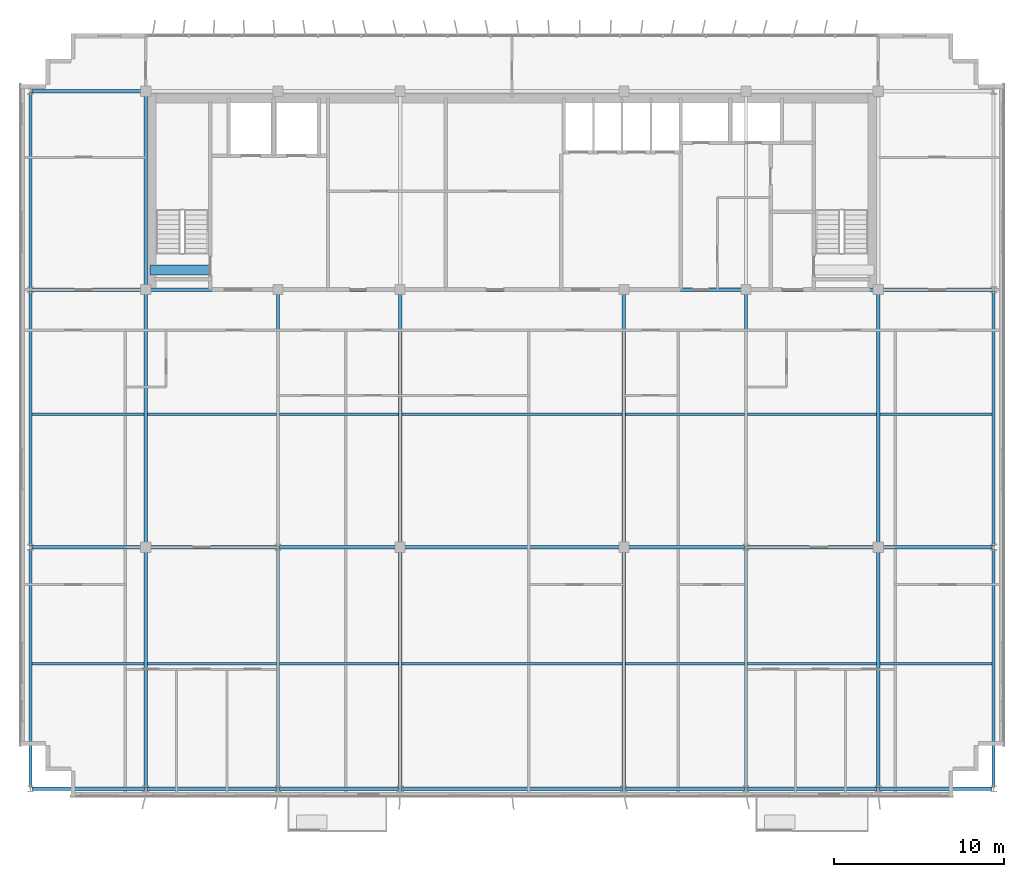
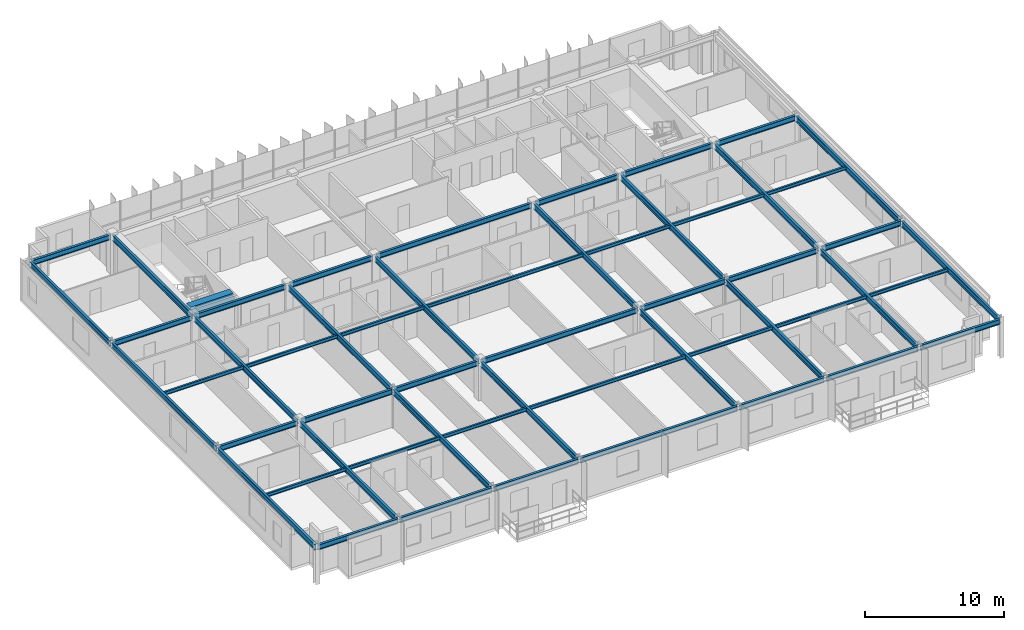
# One storey, part 5 of 22: 55 beams.
"""IFC4 building model written with IfcOpenShell, lengths in metres."""

from ifc_helpers import new_model, si_unit, direction, frame, origin, origin_2d, place, context, subcontext, project, spatial, rectangle, i_section, extrude, source, transform, mapped, material, material_profile, profile_set, type_object, element, save


model = new_model("IFC4")

# Units and contexts
model_context = context("Model", 3, precision=1e-05, world=origin(), true_north=direction((0.0, 1.0)))
body_context = subcontext(model_context, "Body", "Model", "MODEL_VIEW")
ifc_project = project(units=[si_unit("LENGTHUNIT", "METRE"), si_unit("AREAUNIT", "SQUARE_METRE"), si_unit("VOLUMEUNIT", "CUBIC_METRE"), si_unit("PLANEANGLEUNIT", "RADIAN"), si_unit("MASSUNIT", "GRAM", prefix="KILO")], contexts=[model_context])

# Site, building, storey
site_placement = place(None, origin())
site = spatial("IfcSite", under=ifc_project, at=site_placement, CompositionType="ELEMENT")
building_placement = place(site_placement, origin())
building = spatial("IfcBuilding", under=site, at=building_placement, Name="Trelvane Seafront Commons", CompositionType="ELEMENT")
storey_placement = place(building_placement, frame((0.0, 0.0, 281.10009765625)))
storey = spatial("IfcBuildingStorey", under=building, at=storey_placement, Name="L73", CompositionType="ELEMENT", Elevation=281.10009765625)

# Beams
ifc_material_1 = material(Name="Concrete C60/75", Category="concrete")
ifc_material_profile_1 = material_profile(ifc_material_1, rectangle(XDim=0.60009765625, YDim=0.89990234375, at=origin_2d()), Name="RC-600x900")
ifc_profile_set_1 = profile_set([ifc_material_profile_1], Name="Concrete C60/75")
beam_type_1 = type_object("IfcBeamType", Name="STR-LNT-RC600x900", PredefinedType="LINTEL", material=ifc_profile_set_1)
shared_shape_1 = source(origin(), body_context, "Body", "SweptSolid", [
    extrude(rectangle(XDim=0.60009765625, YDim=0.89990234375, at=origin_2d()), origin(), (0.0, 0.0, 1.0), 3.5498046875),
])
beam_1_placement = place(storey_placement, frame((15.85009765625, 34.550048828125, 2.919921875), z_axis=(1.0, 0.0, 0.0), x_axis=(0.0, 1.0, 0.0)))
element("IfcBeam", 1, at=beam_1_placement, inside=storey, type_object=beam_type_1, Name="L73 Core Coupling Lintel Beam CB-67", PredefinedType="LINTEL", context=body_context, shape_type="MappedRepresentation", body=[
    mapped(shared_shape_1, transform((0.0, 0.0, 0.0), x_axis=(1.0, 0.0, 0.0), y_axis=(0.0, 1.0, 0.0), z_axis=(0.0, 0.0, 1.0), scale=1.0)),
])
ifc_material_2 = material(Name="Steel SM355 (S355)", Category="steel")
ifc_material_profile_2 = material_profile(ifc_material_2, i_section(OverallWidth=0.199951171875, OverallDepth=0.5, WebThickness=0.010009765625, FlangeThickness=0.01611328125, at=origin_2d()), Name="H-500x200x10x16")
ifc_profile_set_2 = profile_set([ifc_material_profile_2], Name="Steel SM355 (S355)")
beam_type_2 = type_object("IfcBeamType", Name="STR-BM-H500", PredefinedType="BEAM", material=ifc_profile_set_2)
shared_shape_2 = source(origin(), body_context, "Body", "SweptSolid", [
    extrude(i_section(OverallWidth=0.199951171875, OverallDepth=0.5, WebThickness=0.010009765625, FlangeThickness=0.01611328125, at=origin_2d()), origin(), (0.0, 0.0, 1.0), 14.89990234375),
])
for number, where, z_axis, x_axis, name in (
    (2, (15.60009765625, 18.35009765625, 3.119873046875), (0.0, 1.0, 0.0), (-1.0, 0.0, 0.0), "L73 Primary Girder G-33"),
    (3, (30.60009765625, 18.35009765625, 3.119873046875), (0.0, 1.0, 0.0), (-1.0, 0.0, 0.0), "L73 Primary Girder G-39"),
    (4, (43.800048828125, 18.35009765625, 3.119873046875), (0.0, 1.0, 0.0), (-1.0, 0.0, 0.0), "L73 Primary Girder G-42"),
    (5, (58.800048828125, 18.35009765625, 3.119873046875), (0.0, 1.0, 0.0), (-1.0, 0.0, 0.0), "L73 Primary Girder G-48"),
):
    element("IfcBeam", number, at=place(storey_placement, frame(where, z_axis=z_axis, x_axis=x_axis)), inside=storey, type_object=beam_type_2, Name=name, PredefinedType="BEAM", context=body_context, shape_type="MappedRepresentation", body=[
        mapped(shared_shape_2, transform((0.0, 0.0, 0.0), x_axis=(1.0, 0.0, 0.0), y_axis=(0.0, 1.0, 0.0), z_axis=(0.0, 0.0, 1.0), scale=1.0)),
    ])
shared_shape_3 = source(origin(), body_context, "Body", "SweptSolid", [
    extrude(i_section(OverallWidth=0.199951171875, OverallDepth=0.5, WebThickness=0.010009765625, FlangeThickness=0.01611328125, at=origin_2d()), origin(), (0.0, 0.0, 1.0), 11.39990234375),
])
beam_2_placement = place(storey_placement, frame((15.60009765625, 33.550048828125, 3.119873046875), z_axis=(0.0, 1.0, 0.0), x_axis=(-1.0, 0.0, 0.0)))
element("IfcBeam", 6, at=beam_2_placement, inside=storey, type_object=beam_type_2, Name="L73 Primary Girder G-34", PredefinedType="BEAM", context=body_context, shape_type="MappedRepresentation", body=[
    mapped(shared_shape_3, transform((0.0, 0.0, 0.0), x_axis=(1.0, 0.0, 0.0), y_axis=(0.0, 1.0, 0.0), z_axis=(0.0, 0.0, 1.0), scale=1.0)),
])
ifc_material_profile_3 = material_profile(ifc_material_2, i_section(OverallWidth=0.199951171875, OverallDepth=0.449951171875, WebThickness=0.009033203125, FlangeThickness=0.013916015625, at=origin_2d()), Name="H-450x200x9x14")
ifc_profile_set_3 = profile_set([ifc_material_profile_3], Name="Steel SM355 (S355)")
beam_type_3 = type_object("IfcBeamType", Name="STR-SPD-H450", PredefinedType="SPANDREL", material=ifc_profile_set_3)
shared_shape_4 = source(origin(), body_context, "Body", "SweptSolid", [
    extrude(i_section(OverallWidth=0.199951171875, OverallDepth=0.449951171875, WebThickness=0.009033203125, FlangeThickness=0.013916015625, at=origin_2d()), origin(), (0.0, 0.0, 1.0), 6.625),
])
for number, where, z_axis, x_axis, name in (
    (7, (8.887451171875, 3.949951171875, 3.14501953125), (1.0, 0.0, 0.0), (0.0, 1.0, 0.0), "L73 Primary Girder G-01"),
    (8, (58.887451171875, 3.949951171875, 3.14501953125), (1.0, 0.0, 0.0), (0.0, 1.0, 0.0), "L73 Primary Girder G-07"),
):
    element("IfcBeam", number, at=place(storey_placement, frame(where, z_axis=z_axis, x_axis=x_axis)), inside=storey, type_object=beam_type_3, Name=name, PredefinedType="SPANDREL", context=body_context, shape_type="MappedRepresentation", body=[
        mapped(shared_shape_4, transform((0.0, 0.0, 0.0), x_axis=(1.0, 0.0, 0.0), y_axis=(0.0, 1.0, 0.0), z_axis=(0.0, 0.0, 1.0), scale=1.0)),
    ])
shared_shape_5 = source(origin(), body_context, "Body", "SweptSolid", [
    extrude(i_section(OverallWidth=0.199951171875, OverallDepth=0.449951171875, WebThickness=0.009033203125, FlangeThickness=0.013916015625, at=origin_2d()), origin(), (0.0, 0.0, 1.0), 7.625),
])
for number, where, z_axis, x_axis, name in (
    (9, (15.6875, 3.949951171875, 3.14501953125), (1.0, 0.0, 0.0), (0.0, 1.0, 0.0), "L73 Primary Girder G-02"),
    (10, (51.08740234375, 3.949951171875, 3.14501953125), (1.0, 0.0, 0.0), (0.0, 1.0, 0.0), "L73 Primary Girder G-06"),
):
    element("IfcBeam", number, at=place(storey_placement, frame(where, z_axis=z_axis, x_axis=x_axis)), inside=storey, type_object=beam_type_3, Name=name, PredefinedType="SPANDREL", context=body_context, shape_type="MappedRepresentation", body=[
        mapped(shared_shape_5, transform((0.0, 0.0, 0.0), x_axis=(1.0, 0.0, 0.0), y_axis=(0.0, 1.0, 0.0), z_axis=(0.0, 0.0, 1.0), scale=1.0)),
    ])
shared_shape_6 = source(origin(), body_context, "Body", "SweptSolid", [
    extrude(i_section(OverallWidth=0.199951171875, OverallDepth=0.449951171875, WebThickness=0.009033203125, FlangeThickness=0.013916015625, at=origin_2d()), origin(), (0.0, 0.0, 1.0), 7.02490234375),
])
beam_3_placement = place(storey_placement, frame((23.487548828125, 3.949951171875, 3.14501953125), z_axis=(1.0, 0.0, 0.0), x_axis=(0.0, 1.0, 0.0)))
element("IfcBeam", 11, at=beam_3_placement, inside=storey, type_object=beam_type_3, Name="L73 Primary Girder G-03", PredefinedType="SPANDREL", context=body_context, shape_type="MappedRepresentation", body=[
    mapped(shared_shape_6, transform((0.0, 0.0, 0.0), x_axis=(1.0, 0.0, 0.0), y_axis=(0.0, 1.0, 0.0), z_axis=(0.0, 0.0, 1.0), scale=1.0)),
])
shared_shape_7 = source(origin(), body_context, "Body", "SweptSolid", [
    extrude(i_section(OverallWidth=0.199951171875, OverallDepth=0.449951171875, WebThickness=0.009033203125, FlangeThickness=0.013916015625, at=origin_2d()), origin(), (0.0, 0.0, 1.0), 7.025146484375),
])
beam_4_placement = place(storey_placement, frame((43.887451171875, 3.949951171875, 3.14501953125), z_axis=(1.0, 0.0, 0.0), x_axis=(0.0, 1.0, 0.0)))
element("IfcBeam", 12, at=beam_4_placement, inside=storey, type_object=beam_type_3, Name="L73 Primary Girder G-05", PredefinedType="SPANDREL", context=body_context, shape_type="MappedRepresentation", body=[
    mapped(shared_shape_7, transform((0.0, 0.0, 0.0), x_axis=(1.0, 0.0, 0.0), y_axis=(0.0, 1.0, 0.0), z_axis=(0.0, 0.0, 1.0), scale=1.0)),
])
shared_shape_8 = source(origin(), body_context, "Body", "SweptSolid", [
    extrude(i_section(OverallWidth=0.199951171875, OverallDepth=0.449951171875, WebThickness=0.009033203125, FlangeThickness=0.013916015625, at=origin_2d()), origin(), (0.0, 0.0, 1.0), 6.5625),
])
for number, where, z_axis, x_axis, name in (
    (13, (8.887451171875, 18.199951171875, 3.14501953125), (1.0, 0.0, 0.0), (0.0, 1.0, 0.0), "L73 Primary Girder G-08"),
    (14, (58.949951171875, 18.199951171875, 3.14501953125), (1.0, 0.0, 0.0), (0.0, 1.0, 0.0), "L73 Primary Girder G-14"),
    (15, (8.887451171875, 33.39990234375, 3.14501953125), (1.0, 0.0, 0.0), (0.0, 1.0, 0.0), "L73 Primary Girder G-15"),
    (16, (58.949951171875, 33.39990234375, 3.14501953125), (1.0, 0.0, 0.0), (0.0, 1.0, 0.0), "L73 Primary Girder G-21"),
    (17, (8.887451171875, 45.10009765625, 3.14501953125), (1.0, 0.0, 0.0), (0.0, 1.0, 0.0), "L73 Primary Girder G-22"),
):
    element("IfcBeam", number, at=place(storey_placement, frame(where, z_axis=z_axis, x_axis=x_axis)), inside=storey, type_object=beam_type_3, Name=name, PredefinedType="SPANDREL", context=body_context, shape_type="MappedRepresentation", body=[
        mapped(shared_shape_8, transform((0.0, 0.0, 0.0), x_axis=(1.0, 0.0, 0.0), y_axis=(0.0, 1.0, 0.0), z_axis=(0.0, 0.0, 1.0), scale=1.0)),
    ])
shared_shape_9 = source(origin(), body_context, "Body", "SweptSolid", [
    extrude(i_section(OverallWidth=0.199951171875, OverallDepth=0.449951171875, WebThickness=0.009033203125, FlangeThickness=0.013916015625, at=origin_2d()), origin(), (0.0, 0.0, 1.0), 7.5625),
])
for number, where, z_axis, x_axis, name in (
    (18, (15.75, 18.199951171875, 3.14501953125), (1.0, 0.0, 0.0), (0.0, 1.0, 0.0), "L73 Primary Girder G-09"),
    (19, (51.08740234375, 18.199951171875, 3.14501953125), (1.0, 0.0, 0.0), (0.0, 1.0, 0.0), "L73 Primary Girder G-13"),
):
    element("IfcBeam", number, at=place(storey_placement, frame(where, z_axis=z_axis, x_axis=x_axis)), inside=storey, type_object=beam_type_3, Name=name, PredefinedType="SPANDREL", context=body_context, shape_type="MappedRepresentation", body=[
        mapped(shared_shape_9, transform((0.0, 0.0, 0.0), x_axis=(1.0, 0.0, 0.0), y_axis=(0.0, 1.0, 0.0), z_axis=(0.0, 0.0, 1.0), scale=1.0)),
    ])
shared_shape_10 = source(origin(), body_context, "Body", "SweptSolid", [
    extrude(i_section(OverallWidth=0.199951171875, OverallDepth=0.449951171875, WebThickness=0.009033203125, FlangeThickness=0.013916015625, at=origin_2d()), origin(), (0.0, 0.0, 1.0), 6.96240234375),
])
beam_5_placement = place(storey_placement, frame((23.487548828125, 18.199951171875, 3.14501953125), z_axis=(1.0, 0.0, 0.0), x_axis=(0.0, 1.0, 0.0)))
element("IfcBeam", 20, at=beam_5_placement, inside=storey, type_object=beam_type_3, Name="L73 Primary Girder G-10", PredefinedType="SPANDREL", context=body_context, shape_type="MappedRepresentation", body=[
    mapped(shared_shape_10, transform((0.0, 0.0, 0.0), x_axis=(1.0, 0.0, 0.0), y_axis=(0.0, 1.0, 0.0), z_axis=(0.0, 0.0, 1.0), scale=1.0)),
])
shared_shape_11 = source(origin(), body_context, "Body", "SweptSolid", [
    extrude(i_section(OverallWidth=0.199951171875, OverallDepth=0.449951171875, WebThickness=0.009033203125, FlangeThickness=0.013916015625, at=origin_2d()), origin(), (0.0, 0.0, 1.0), 6.962646484375),
])
beam_6_placement = place(storey_placement, frame((43.949951171875, 18.199951171875, 3.14501953125), z_axis=(1.0, 0.0, 0.0), x_axis=(0.0, 1.0, 0.0)))
element("IfcBeam", 21, at=beam_6_placement, inside=storey, type_object=beam_type_3, Name="L73 Primary Girder G-12", PredefinedType="SPANDREL", context=body_context, shape_type="MappedRepresentation", body=[
    mapped(shared_shape_11, transform((0.0, 0.0, 0.0), x_axis=(1.0, 0.0, 0.0), y_axis=(0.0, 1.0, 0.0), z_axis=(0.0, 0.0, 1.0), scale=1.0)),
])
shared_shape_12 = source(origin(), body_context, "Body", "SweptSolid", [
    extrude(i_section(OverallWidth=0.199951171875, OverallDepth=0.449951171875, WebThickness=0.009033203125, FlangeThickness=0.013916015625, at=origin_2d()), origin(), (0.0, 0.0, 1.0), 7.5),
])
for number, where, z_axis, x_axis, name in (
    (22, (15.75, 33.39990234375, 3.14501953125), (1.0, 0.0, 0.0), (0.0, 1.0, 0.0), "L73 Primary Girder G-16"),
    (23, (51.14990234375, 33.39990234375, 3.14501953125), (1.0, 0.0, 0.0), (0.0, 1.0, 0.0), "L73 Primary Girder G-20"),
):
    element("IfcBeam", number, at=place(storey_placement, frame(where, z_axis=z_axis, x_axis=x_axis)), inside=storey, type_object=beam_type_3, Name=name, PredefinedType="SPANDREL", context=body_context, shape_type="MappedRepresentation", body=[
        mapped(shared_shape_12, transform((0.0, 0.0, 0.0), x_axis=(1.0, 0.0, 0.0), y_axis=(0.0, 1.0, 0.0), z_axis=(0.0, 0.0, 1.0), scale=1.0)),
    ])
shared_shape_13 = source(origin(), body_context, "Body", "SweptSolid", [
    extrude(i_section(OverallWidth=0.199951171875, OverallDepth=0.449951171875, WebThickness=0.009033203125, FlangeThickness=0.013916015625, at=origin_2d()), origin(), (0.0, 0.0, 1.0), 6.89990234375),
])
beam_7_placement = place(storey_placement, frame((23.550048828125, 33.39990234375, 3.14501953125), z_axis=(1.0, 0.0, 0.0), x_axis=(0.0, 1.0, 0.0)))
element("IfcBeam", 24, at=beam_7_placement, inside=storey, type_object=beam_type_3, Name="L73 Primary Girder G-17", PredefinedType="SPANDREL", context=body_context, shape_type="MappedRepresentation", body=[
    mapped(shared_shape_13, transform((0.0, 0.0, 0.0), x_axis=(1.0, 0.0, 0.0), y_axis=(0.0, 1.0, 0.0), z_axis=(0.0, 0.0, 1.0), scale=1.0)),
])
shared_shape_14 = source(origin(), body_context, "Body", "SweptSolid", [
    extrude(i_section(OverallWidth=0.199951171875, OverallDepth=0.449951171875, WebThickness=0.009033203125, FlangeThickness=0.013916015625, at=origin_2d()), origin(), (0.0, 0.0, 1.0), 12.89990234375),
])
for number, where, z_axis, x_axis, name in (
    (25, (30.75, 18.199951171875, 3.14501953125), (1.0, 0.0, 0.0), (0.0, 1.0, 0.0), "L73 Primary Girder G-11"),
    (26, (30.75, 33.39990234375, 3.14501953125), (1.0, 0.0, 0.0), (0.0, 1.0, 0.0), "L73 Primary Girder G-18"),
):
    element("IfcBeam", number, at=place(storey_placement, frame(where, z_axis=z_axis, x_axis=x_axis)), inside=storey, type_object=beam_type_3, Name=name, PredefinedType="SPANDREL", context=body_context, shape_type="MappedRepresentation", body=[
        mapped(shared_shape_14, transform((0.0, 0.0, 0.0), x_axis=(1.0, 0.0, 0.0), y_axis=(0.0, 1.0, 0.0), z_axis=(0.0, 0.0, 1.0), scale=1.0)),
    ])
shared_shape_15 = source(origin(), body_context, "Body", "SweptSolid", [
    extrude(i_section(OverallWidth=0.199951171875, OverallDepth=0.449951171875, WebThickness=0.009033203125, FlangeThickness=0.013916015625, at=origin_2d()), origin(), (0.0, 0.0, 1.0), 6.900146484375),
])
beam_8_placement = place(storey_placement, frame((43.949951171875, 33.39990234375, 3.14501953125), z_axis=(1.0, 0.0, 0.0), x_axis=(0.0, 1.0, 0.0)))
element("IfcBeam", 27, at=beam_8_placement, inside=storey, type_object=beam_type_3, Name="L73 Primary Girder G-19", PredefinedType="SPANDREL", context=body_context, shape_type="MappedRepresentation", body=[
    mapped(shared_shape_15, transform((0.0, 0.0, 0.0), x_axis=(1.0, 0.0, 0.0), y_axis=(0.0, 1.0, 0.0), z_axis=(0.0, 0.0, 1.0), scale=1.0)),
])
shared_shape_16 = source(origin(), body_context, "Body", "SweptSolid", [
    extrude(i_section(OverallWidth=0.199951171875, OverallDepth=0.5, WebThickness=0.010009765625, FlangeThickness=0.01611328125, at=origin_2d()), origin(), (0.0, 0.0, 1.0), 14.074951171875),
])
for number, where, z_axis, x_axis, name in (
    (28, (8.800048828125, 4.03759765625, 3.119873046875), (0.0, 1.0, 0.0), (-1.0, 0.0, 0.0), "L73 Primary Girder G-29"),
    (29, (23.39990234375, 4.03759765625, 3.119873046875), (0.0, 1.0, 0.0), (-1.0, 0.0, 0.0), "L73 Primary Girder G-35"),
    (30, (51.0, 4.03759765625, 3.119873046875), (0.0, 1.0, 0.0), (-1.0, 0.0, 0.0), "L73 Primary Girder G-44"),
    (31, (65.60009765625, 4.03759765625, 3.119873046875), (0.0, 1.0, 0.0), (-1.0, 0.0, 0.0), "L73 Primary Girder G-50"),
):
    element("IfcBeam", number, at=place(storey_placement, frame(where, z_axis=z_axis, x_axis=x_axis)), inside=storey, type_object=beam_type_2, Name=name, PredefinedType="BEAM", context=body_context, shape_type="MappedRepresentation", body=[
        mapped(shared_shape_16, transform((0.0, 0.0, 0.0), x_axis=(1.0, 0.0, 0.0), y_axis=(0.0, 1.0, 0.0), z_axis=(0.0, 0.0, 1.0), scale=1.0)),
    ])
shared_shape_17 = source(origin(), body_context, "Body", "SweptSolid", [
    extrude(i_section(OverallWidth=0.199951171875, OverallDepth=0.5, WebThickness=0.010009765625, FlangeThickness=0.01611328125, at=origin_2d()), origin(), (0.0, 0.0, 1.0), 15.02490234375),
])
for number, where, z_axis, x_axis, name in (
    (32, (8.800048828125, 18.28759765625, 3.119873046875), (0.0, 1.0, 0.0), (-1.0, 0.0, 0.0), "L73 Primary Girder G-30"),
    (33, (65.60009765625, 18.28759765625, 3.119873046875), (0.0, 1.0, 0.0), (-1.0, 0.0, 0.0), "L73 Primary Girder G-51"),
):
    element("IfcBeam", number, at=place(storey_placement, frame(where, z_axis=z_axis, x_axis=x_axis)), inside=storey, type_object=beam_type_2, Name=name, PredefinedType="BEAM", context=body_context, shape_type="MappedRepresentation", body=[
        mapped(shared_shape_17, transform((0.0, 0.0, 0.0), x_axis=(1.0, 0.0, 0.0), y_axis=(0.0, 1.0, 0.0), z_axis=(0.0, 0.0, 1.0), scale=1.0)),
    ])
shared_shape_18 = source(origin(), body_context, "Body", "SweptSolid", [
    extrude(i_section(OverallWidth=0.199951171875, OverallDepth=0.5, WebThickness=0.010009765625, FlangeThickness=0.01611328125, at=origin_2d()), origin(), (0.0, 0.0, 1.0), 11.52490234375),
])
beam_9_placement = place(storey_placement, frame((8.800048828125, 33.487548828125, 3.119873046875), z_axis=(0.0, 1.0, 0.0), x_axis=(-1.0, 0.0, 0.0)))
element("IfcBeam", 34, at=beam_9_placement, inside=storey, type_object=beam_type_2, Name="L73 Primary Girder G-31", PredefinedType="BEAM", context=body_context, shape_type="MappedRepresentation", body=[
    mapped(shared_shape_18, transform((0.0, 0.0, 0.0), x_axis=(1.0, 0.0, 0.0), y_axis=(0.0, 1.0, 0.0), z_axis=(0.0, 0.0, 1.0), scale=1.0)),
])
shared_shape_19 = source(origin(), body_context, "Body", "SweptSolid", [
    extrude(i_section(OverallWidth=0.199951171875, OverallDepth=0.5, WebThickness=0.010009765625, FlangeThickness=0.01611328125, at=origin_2d()), origin(), (0.0, 0.0, 1.0), 14.012451171875),
])
for number, where, z_axis, x_axis, name in (
    (35, (15.60009765625, 4.03759765625, 3.119873046875), (0.0, 1.0, 0.0), (-1.0, 0.0, 0.0), "L73 Primary Girder G-32"),
    (36, (30.60009765625, 4.03759765625, 3.119873046875), (0.0, 1.0, 0.0), (-1.0, 0.0, 0.0), "L73 Primary Girder G-38"),
    (37, (43.800048828125, 4.03759765625, 3.119873046875), (0.0, 1.0, 0.0), (-1.0, 0.0, 0.0), "L73 Primary Girder G-41"),
    (38, (58.800048828125, 4.03759765625, 3.119873046875), (0.0, 1.0, 0.0), (-1.0, 0.0, 0.0), "L73 Primary Girder G-47"),
):
    element("IfcBeam", number, at=place(storey_placement, frame(where, z_axis=z_axis, x_axis=x_axis)), inside=storey, type_object=beam_type_2, Name=name, PredefinedType="BEAM", context=body_context, shape_type="MappedRepresentation", body=[
        mapped(shared_shape_19, transform((0.0, 0.0, 0.0), x_axis=(1.0, 0.0, 0.0), y_axis=(0.0, 1.0, 0.0), z_axis=(0.0, 0.0, 1.0), scale=1.0)),
    ])
shared_shape_20 = source(origin(), body_context, "Body", "SweptSolid", [
    extrude(i_section(OverallWidth=0.199951171875, OverallDepth=0.5, WebThickness=0.010009765625, FlangeThickness=0.01611328125, at=origin_2d()), origin(), (0.0, 0.0, 1.0), 14.96240234375),
])
for number, where, z_axis, x_axis, name in (
    (39, (23.39990234375, 18.28759765625, 3.119873046875), (0.0, 1.0, 0.0), (-1.0, 0.0, 0.0), "L73 Primary Girder G-36"),
    (40, (51.0, 18.28759765625, 3.119873046875), (0.0, 1.0, 0.0), (-1.0, 0.0, 0.0), "L73 Primary Girder G-45"),
):
    element("IfcBeam", number, at=place(storey_placement, frame(where, z_axis=z_axis, x_axis=x_axis)), inside=storey, type_object=beam_type_2, Name=name, PredefinedType="BEAM", context=body_context, shape_type="MappedRepresentation", body=[
        mapped(shared_shape_20, transform((0.0, 0.0, 0.0), x_axis=(1.0, 0.0, 0.0), y_axis=(0.0, 1.0, 0.0), z_axis=(0.0, 0.0, 1.0), scale=1.0)),
    ])
ifc_material_profile_4 = material_profile(ifc_material_2, i_section(OverallWidth=0.14990234375, OverallDepth=0.300048828125, WebThickness=0.006591796875, FlangeThickness=0.009033203125, at=origin_2d()), Name="H-300x150x6.5x9")
ifc_profile_set_4 = profile_set([ifc_material_profile_4], Name="Steel SM355 (S355)")
beam_type_4 = type_object("IfcBeamType", Name="STR-JST-H300", PredefinedType="JOIST", material=ifc_profile_set_4)
shared_shape_21 = source(origin(), body_context, "Body", "SweptSolid", [
    extrude(i_section(OverallWidth=0.14990234375, OverallDepth=0.300048828125, WebThickness=0.006591796875, FlangeThickness=0.009033203125, at=origin_2d()), origin(), (0.0, 0.0, 1.0), 6.60009765625),
])
for number, where, z_axis, x_axis, name in (
    (41, (8.89990234375, 11.324951171875, 3.219970703125), (1.0, 0.0, 0.0), (0.0, 1.0, 0.0), "L73 Secondary Floor Joist B-53"),
    (42, (58.89990234375, 11.324951171875, 3.219970703125), (1.0, 0.0, 0.0), (0.0, 1.0, 0.0), "L73 Secondary Floor Joist B-59"),
    (43, (8.89990234375, 26.050048828125, 3.219970703125), (1.0, 0.0, 0.0), (0.0, 1.0, 0.0), "L73 Secondary Floor Joist B-60"),
    (44, (58.89990234375, 26.050048828125, 3.219970703125), (1.0, 0.0, 0.0), (0.0, 1.0, 0.0), "L73 Secondary Floor Joist B-66"),
):
    element("IfcBeam", number, at=place(storey_placement, frame(where, z_axis=z_axis, x_axis=x_axis)), inside=storey, type_object=beam_type_4, Name=name, PredefinedType="JOIST", context=body_context, shape_type="MappedRepresentation", body=[
        mapped(shared_shape_21, transform((0.0, 0.0, 0.0), x_axis=(1.0, 0.0, 0.0), y_axis=(0.0, 1.0, 0.0), z_axis=(0.0, 0.0, 1.0), scale=1.0)),
    ])
shared_shape_22 = source(origin(), body_context, "Body", "SweptSolid", [
    extrude(i_section(OverallWidth=0.14990234375, OverallDepth=0.300048828125, WebThickness=0.006591796875, FlangeThickness=0.009033203125, at=origin_2d()), origin(), (0.0, 0.0, 1.0), 7.60009765625),
])
for number, where, z_axis, x_axis, name in (
    (45, (15.699951171875, 11.324951171875, 3.219970703125), (1.0, 0.0, 0.0), (0.0, 1.0, 0.0), "L73 Secondary Floor Joist B-54"),
    (46, (15.699951171875, 26.050048828125, 3.219970703125), (1.0, 0.0, 0.0), (0.0, 1.0, 0.0), "L73 Secondary Floor Joist B-61"),
):
    element("IfcBeam", number, at=place(storey_placement, frame(where, z_axis=z_axis, x_axis=x_axis)), inside=storey, type_object=beam_type_4, Name=name, PredefinedType="JOIST", context=body_context, shape_type="MappedRepresentation", body=[
        mapped(shared_shape_22, transform((0.0, 0.0, 0.0), x_axis=(1.0, 0.0, 0.0), y_axis=(0.0, 1.0, 0.0), z_axis=(0.0, 0.0, 1.0), scale=1.0)),
    ])
shared_shape_23 = source(origin(), body_context, "Body", "SweptSolid", [
    extrude(i_section(OverallWidth=0.14990234375, OverallDepth=0.300048828125, WebThickness=0.006591796875, FlangeThickness=0.009033203125, at=origin_2d()), origin(), (0.0, 0.0, 1.0), 7.0),
])
for number, where, z_axis, x_axis, name in (
    (47, (23.5, 11.324951171875, 3.219970703125), (1.0, 0.0, 0.0), (0.0, 1.0, 0.0), "L73 Secondary Floor Joist B-55"),
    (48, (43.89990234375, 11.324951171875, 3.219970703125), (1.0, 0.0, 0.0), (0.0, 1.0, 0.0), "L73 Secondary Floor Joist B-57"),
    (49, (23.5, 26.050048828125, 3.219970703125), (1.0, 0.0, 0.0), (0.0, 1.0, 0.0), "L73 Secondary Floor Joist B-62"),
    (50, (43.89990234375, 26.050048828125, 3.219970703125), (1.0, 0.0, 0.0), (0.0, 1.0, 0.0), "L73 Secondary Floor Joist B-64"),
):
    element("IfcBeam", number, at=place(storey_placement, frame(where, z_axis=z_axis, x_axis=x_axis)), inside=storey, type_object=beam_type_4, Name=name, PredefinedType="JOIST", context=body_context, shape_type="MappedRepresentation", body=[
        mapped(shared_shape_23, transform((0.0, 0.0, 0.0), x_axis=(1.0, 0.0, 0.0), y_axis=(0.0, 1.0, 0.0), z_axis=(0.0, 0.0, 1.0), scale=1.0)),
    ])
shared_shape_24 = source(origin(), body_context, "Body", "SweptSolid", [
    extrude(i_section(OverallWidth=0.14990234375, OverallDepth=0.300048828125, WebThickness=0.006591796875, FlangeThickness=0.009033203125, at=origin_2d()), origin(), (0.0, 0.0, 1.0), 7.599853515625),
])
for number, where, z_axis, x_axis, name in (
    (51, (51.10009765625, 11.324951171875, 3.219970703125), (1.0, 0.0, 0.0), (0.0, 1.0, 0.0), "L73 Secondary Floor Joist B-58"),
    (52, (51.10009765625, 26.050048828125, 3.219970703125), (1.0, 0.0, 0.0), (0.0, 1.0, 0.0), "L73 Secondary Floor Joist B-65"),
):
    element("IfcBeam", number, at=place(storey_placement, frame(where, z_axis=z_axis, x_axis=x_axis)), inside=storey, type_object=beam_type_4, Name=name, PredefinedType="JOIST", context=body_context, shape_type="MappedRepresentation", body=[
        mapped(shared_shape_24, transform((0.0, 0.0, 0.0), x_axis=(1.0, 0.0, 0.0), y_axis=(0.0, 1.0, 0.0), z_axis=(0.0, 0.0, 1.0), scale=1.0)),
    ])
shared_shape_25 = source(origin(), body_context, "Body", "SweptSolid", [
    extrude(i_section(OverallWidth=0.14990234375, OverallDepth=0.300048828125, WebThickness=0.006591796875, FlangeThickness=0.009033203125, at=origin_2d()), origin(), (0.0, 0.0, 1.0), 13.0),
])
for number, where, z_axis, x_axis, name in (
    (53, (30.699951171875, 11.324951171875, 3.219970703125), (1.0, 0.0, 0.0), (0.0, 1.0, 0.0), "L73 Secondary Floor Joist B-56"),
    (54, (30.699951171875, 26.050048828125, 3.219970703125), (1.0, 0.0, 0.0), (0.0, 1.0, 0.0), "L73 Secondary Floor Joist B-63"),
):
    element("IfcBeam", number, at=place(storey_placement, frame(where, z_axis=z_axis, x_axis=x_axis)), inside=storey, type_object=beam_type_4, Name=name, PredefinedType="JOIST", context=body_context, shape_type="MappedRepresentation", body=[
        mapped(shared_shape_25, transform((0.0, 0.0, 0.0), x_axis=(1.0, 0.0, 0.0), y_axis=(0.0, 1.0, 0.0), z_axis=(0.0, 0.0, 1.0), scale=1.0)),
    ])
shared_shape_26 = source(origin(), body_context, "Body", "SweptSolid", [
    extrude(i_section(OverallWidth=0.199951171875, OverallDepth=0.449951171875, WebThickness=0.009033203125, FlangeThickness=0.013916015625, at=origin_2d()), origin(), (0.0, 0.0, 1.0), 13.02490234375),
])
beam_10_placement = place(storey_placement, frame((30.6875, 3.949951171875, 3.14501953125), z_axis=(1.0, 0.0, 0.0), x_axis=(0.0, 1.0, 0.0)))
element("IfcBeam", 55, at=beam_10_placement, inside=storey, type_object=beam_type_3, Name="L73 Primary Girder G-04", PredefinedType="SPANDREL", context=body_context, shape_type="MappedRepresentation", body=[
    mapped(shared_shape_26, transform((0.0, 0.0, 0.0), x_axis=(1.0, 0.0, 0.0), y_axis=(0.0, 1.0, 0.0), z_axis=(0.0, 0.0, 1.0), scale=1.0)),
])

save(model, "model.ifc")
